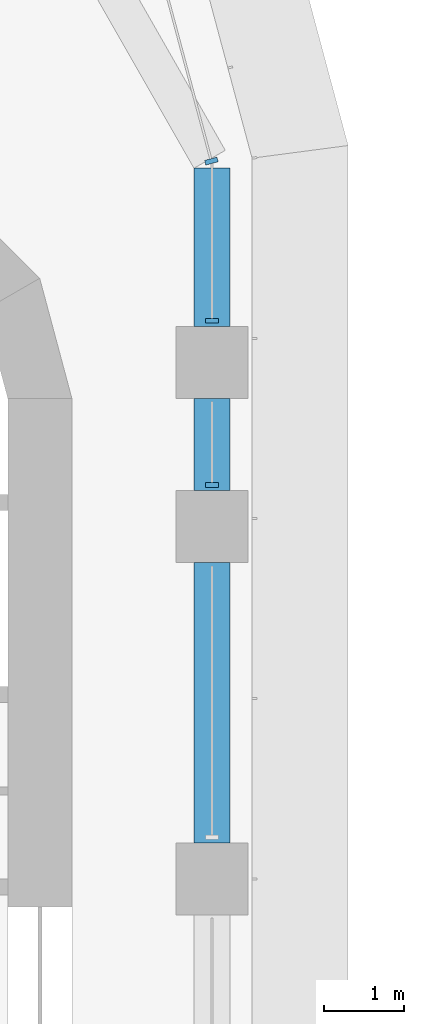
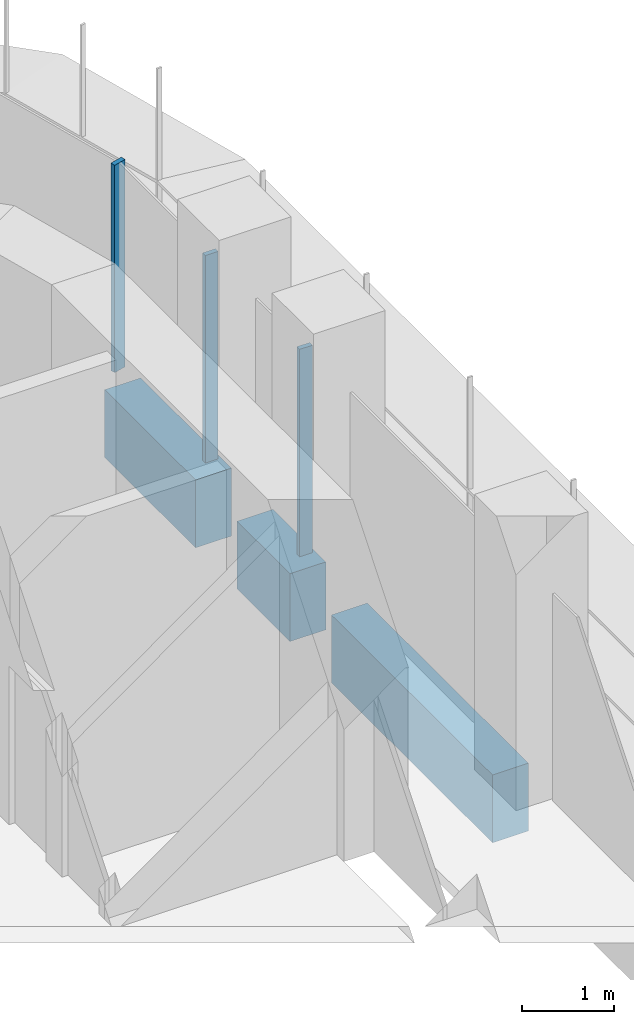
# One storey, part 10 of 23: 3 beams, 3 members, 2 elements without a shape of their own.
"""IFC4 building model written with IfcOpenShell, lengths in metres."""

import ifcopenshell
import ifcopenshell.guid

model = None  # the IFC model being written
_history = None  # IfcOwnerHistory: only IFC2X3 demands one
_inside = {}  # id of a spatial element -> (the spatial element, [elements in it])
_under = {}  # id of a project, library or spatial element -> (it, [spatial elements below it])
_declared = {}  # id of a project -> (the project, [libraries it declares])
_typed = {}  # id of a type object -> (the type object, [elements of that type])
_made_of = {}  # id of a material, layer set ... -> (it, [elements and type objects made of it])


def new_model(schema):
    """Start an empty IFC model of exactly this schema.

    Asked for "IFC4X3", IfcOpenShell would pick the latest addendum, in which some entities
    have other attributes; the version numbers below select the first issue.
    IFC2X3 requires an IfcOwnerHistory on every rooted entity: one is made here for all.
    """
    global model, _history
    if schema == "IFC4X3":
        model = ifcopenshell.file(schema_version=(4, 3, 0, 0))
    else:
        model = ifcopenshell.file(schema=schema)
    _inside.clear()
    _under.clear()
    _declared.clear()
    _typed.clear()
    _made_of.clear()
    _history = None
    if model.schema == "IFC2X3":
        org = make("IfcOrganization", Name="unknown")
        user = make(
            "IfcPersonAndOrganization",
            ThePerson=make("IfcPerson", FamilyName="unknown"),
            TheOrganization=org,
        )
        app = make(
            "IfcApplication",
            ApplicationDeveloper=org,
            Version="unknown",
            ApplicationFullName="unknown",
            ApplicationIdentifier="unknown",
        )
        _history = make(
            "IfcOwnerHistory",
            OwningUser=user,
            OwningApplication=app,
            ChangeAction="ADDED",
            CreationDate=0,
        )
    return model


def make(cls, **values):
    """One entity of the class cls with the attributes given. An attribute that is None is left unset."""
    return model.create_entity(
        cls, **{name: value for name, value in values.items() if value is not None}
    )


def rooted(cls, **values):
    """An entity with a GlobalId (a new one), such as an element, a storey or a relation."""
    return make(cls, GlobalId=ifcopenshell.guid.new(), OwnerHistory=_history, **values)


def si_unit(unit_type, name, prefix=None):
    """IfcSIUnit, for example si_unit("LENGTHUNIT", "METRE", prefix="MILLI")."""
    return make("IfcSIUnit", UnitType=unit_type, Prefix=prefix, Name=name)


def assignment(units):
    """IfcUnitAssignment: the units of a project."""
    return None if units is None else make("IfcUnitAssignment", Units=units)


def point(xyz):
    """IfcCartesianPoint."""
    return None if xyz is None else make("IfcCartesianPoint", Coordinates=xyz)


def direction(xyz):
    """IfcDirection."""
    return None if xyz is None else make("IfcDirection", DirectionRatios=xyz)


def frame(location, z_axis=None, x_axis=None):
    """IfcAxis2Placement3D, a coordinate frame: its origin and axes. An axis left out is left unset."""
    return make(
        "IfcAxis2Placement3D",
        Location=point(location),
        Axis=direction(z_axis),
        RefDirection=direction(x_axis),
    )


def frame_2d(location, x_axis=None):
    """IfcAxis2Placement2D, a coordinate frame in the plane: its origin and x axis."""
    return make(
        "IfcAxis2Placement2D", Location=point(location), RefDirection=direction(x_axis)
    )


def origin():
    """The frame at (0, 0, 0) with its axes left unset."""
    return frame((0.0, 0.0, 0.0))


def origin_2d():
    """The frame at (0, 0) in the plane with its x axis left unset."""
    return frame_2d((0.0, 0.0))


def place(relative_to, where):
    """IfcLocalPlacement: puts the frame where relative to a parent placement (None: the world)."""
    return make(
        "IfcLocalPlacement", PlacementRelTo=relative_to, RelativePlacement=where
    )


def context(
    kind, dimensions, precision=None, world=None, true_north=None, identifier=None
):
    """IfcGeometricRepresentationContext, for example the 3D "Model" context."""
    return make(
        "IfcGeometricRepresentationContext",
        ContextIdentifier=identifier,
        ContextType=kind,
        CoordinateSpaceDimension=dimensions,
        Precision=precision,
        WorldCoordinateSystem=world,
        TrueNorth=true_north,
    )


def subcontext(parent, identifier, kind, view, scale=None):
    """IfcGeometricRepresentationSubContext, for example "Body" below "Model"."""
    return make(
        "IfcGeometricRepresentationSubContext",
        ContextIdentifier=identifier,
        ContextType=kind,
        ParentContext=parent,
        TargetScale=scale,
        TargetView=view,
    )


def project(units=None, contexts=None):
    """IfcProject with its units and contexts."""
    return rooted(
        "IfcProject",
        Name="project",
        RepresentationContexts=contexts,
        UnitsInContext=assignment(units),
    )


def spatial(cls, under=None, at=None, **own):
    """A site, building, storey or space (cls), placed at a placement, below another one or the project."""
    s = rooted(cls, ObjectPlacement=at, **own)
    if under is not None:
        _under.setdefault(under.id(), (under, []))[1].append(s)
    return s


def polyline(points):
    """IfcPolyline through the points."""
    return make("IfcPolyline", Points=[point(p) for p in points])


def profile(cls, at=None, kind="AREA", **sizes):
    """A parametric profile (cls). Its sizes go by their IFC names, for example OverallWidth=200.0."""
    return make(cls, ProfileType=kind, Position=at, **sizes)


def rectangle(**sizes):
    """IfcRectangleProfileDef."""
    return profile("IfcRectangleProfileDef", **sizes)


def outline(outer, holes=None, kind="AREA"):
    """IfcArbitraryClosedProfileDef: a profile drawn as a closed curve; with holes, ...WithVoids."""
    if holes is None:
        return make("IfcArbitraryClosedProfileDef", ProfileType=kind, OuterCurve=outer)
    return make(
        "IfcArbitraryProfileDefWithVoids",
        ProfileType=kind,
        OuterCurve=outer,
        InnerCurves=holes,
    )


def extrude(swept, where, along, depth):
    """IfcExtrudedAreaSolid: the profile swept, set in the frame where, extruded along a direction by depth."""
    return make(
        "IfcExtrudedAreaSolid",
        SweptArea=swept,
        Position=where,
        ExtrudedDirection=direction(along),
        Depth=depth,
    )


def shape(context_of_items, identifier, shape_type, items):
    """IfcShapeRepresentation: the items that make up one representation, for example the "Body"."""
    return make(
        "IfcShapeRepresentation",
        ContextOfItems=context_of_items,
        RepresentationIdentifier=identifier,
        RepresentationType=shape_type,
        Items=items,
    )


def source(mapping_origin, context_of_items, identifier, shape_type, items):
    """IfcRepresentationMap: a shape defined once, which mapped items show again and again."""
    return make(
        "IfcRepresentationMap",
        MappingOrigin=mapping_origin,
        MappedRepresentation=shape(context_of_items, identifier, shape_type, items),
    )


def transform(
    local_origin,
    x_axis=None,
    y_axis=None,
    z_axis=None,
    scale=None,
    scale2=None,
    scale3=None,
    uniform=True,
):
    """IfcCartesianTransformationOperator3D, or its non-uniform kind. x_axis, y_axis, z_axis: its Axis1, 2, 3."""
    if uniform:
        return make(
            "IfcCartesianTransformationOperator3D",
            Axis1=direction(x_axis),
            Axis2=direction(y_axis),
            LocalOrigin=point(local_origin),
            Scale=scale,
            Axis3=direction(z_axis),
        )
    return make(
        "IfcCartesianTransformationOperator3DnonUniform",
        Axis1=direction(x_axis),
        Axis2=direction(y_axis),
        LocalOrigin=point(local_origin),
        Scale=scale,
        Axis3=direction(z_axis),
        Scale2=scale2,
        Scale3=scale3,
    )


def mapped(mapping_source, mapping_target):
    """IfcMappedItem: shows the shape of a source again, moved by a transform."""
    return make(
        "IfcMappedItem", MappingSource=mapping_source, MappingTarget=mapping_target
    )


def material(Name=None, Category=None):
    """IfcMaterial."""
    return make("IfcMaterial", Name=Name, Category=Category)


def material_profile(
    of_material, cross_section, Name=None, Category=None, Priority=None
):
    """IfcMaterialProfile: a cross section and its material."""
    return make(
        "IfcMaterialProfile",
        Name=Name,
        Material=of_material,
        Profile=cross_section,
        Priority=Priority,
        Category=Category,
    )


def profile_set(profiles, Name=None, composite=None):
    """IfcMaterialProfileSet."""
    return make(
        "IfcMaterialProfileSet",
        Name=Name,
        MaterialProfiles=profiles,
        CompositeProfile=composite,
    )


def made_of(thing, what):
    """Note that an element or type object is made of a material, layer set ...; save() writes the relation."""
    if what is not None:
        _made_of.setdefault(what.id(), (what, []))[1].append(thing)
    return thing


def type_object(cls, material=None, **own):
    """A type object (cls), such as IfcWallType, which elements share."""
    return made_of(rooted(cls, **own), material)


def element(
    cls,
    number,
    at=None,
    inside=None,
    cuts=None,
    type_object=None,
    material=None,
    context=None,
    identifier="Body",
    shape_type=None,
    held_by="IfcProductDefinitionShape",
    body=None,
    shapes=None,
    **own,
):
    """One element of the class cls, such as IfcWall. Its Tag is "e" and its number.

    at: its placement. inside: the storey or other place that contains it. cuts: it is an
    opening in that element (IfcRelVoidsElement). A single representation is given by context,
    identifier, shape_type and body (its items); several are given by shapes. held_by: the class
    of the entity that holds the representations. save() writes the other relations.
    """
    e = rooted(cls, Tag="e%d" % number, ObjectPlacement=at, **own)
    if body is not None:
        shapes = [shape(context, identifier, shape_type, body)]
    if shapes is not None:
        e.Representation = make(held_by, Representations=shapes)
    if inside is not None:
        _inside.setdefault(inside.id(), (inside, []))[1].append(e)
    if cuts is not None:
        rooted(
            "IfcRelVoidsElement", RelatingBuildingElement=cuts, RelatedOpeningElement=e
        )
    if type_object is not None:
        _typed.setdefault(type_object.id(), (type_object, []))[1].append(e)
    return made_of(e, material)


def aggregate(whole, parts):
    """IfcRelAggregates: a whole, such as a stair, and the parts it consists of."""
    return rooted("IfcRelAggregates", RelatingObject=whole, RelatedObjects=parts)


def save(model, path):
    """Write the relations noted so far, then the file.

    IfcRelAggregates (storeys below a building ...), IfcRelContainedInSpatialStructure (elements
    in a storey), IfcRelDefinesByType, IfcRelAssociatesMaterial and IfcRelDeclares: one each for
    every whole, place, type object, material and project.
    """
    for whole, parts in _under.values():
        aggregate(whole, parts)
    for where, things in _inside.values():
        rooted(
            "IfcRelContainedInSpatialStructure",
            RelatedElements=things,
            RelatingStructure=where,
        )
    for kind, things in _typed.values():
        rooted("IfcRelDefinesByType", RelatedObjects=things, RelatingType=kind)
    for what, things in _made_of.values():
        rooted("IfcRelAssociatesMaterial", RelatedObjects=things, RelatingMaterial=what)
    for by, libraries in _declared.values():
        rooted("IfcRelDeclares", RelatingContext=by, RelatedDefinitions=libraries)
    model.write(path)


model = new_model("IFC4")

# Units and contexts
model_context = context("Model", 3, precision=1e-05, world=origin(), true_north=direction((0.0, 1.0)))
body_context = subcontext(model_context, "Body", "Model", "MODEL_VIEW")
ifc_project = project(units=[si_unit("LENGTHUNIT", "METRE"), si_unit("AREAUNIT", "SQUARE_METRE"), si_unit("VOLUMEUNIT", "CUBIC_METRE"), si_unit("PLANEANGLEUNIT", "RADIAN"), si_unit("MASSUNIT", "GRAM", prefix="KILO")], contexts=[model_context])

# Site, building, storey
site_placement = place(None, origin())
site = spatial("IfcSite", under=ifc_project, at=site_placement, CompositionType="ELEMENT")
building_placement = place(site_placement, origin())
building = spatial("IfcBuilding", under=site, at=building_placement, Name="Zarbagh Exchange Tower", CompositionType="ELEMENT")
storey_placement = place(building_placement, frame((0.0, 0.0, 90.39990234375)))
storey = spatial("IfcBuildingStorey", under=building, at=storey_placement, Name="L20", CompositionType="ELEMENT", Elevation=90.39990234375)

# Beams
ifc_material_1 = material(Name="Concrete C60/75", Category="concrete")
ifc_material_profile = material_profile(ifc_material_1, rectangle(XDim=0.449951171875, YDim=0.89990234375, at=origin_2d()), Name="RC spandrel beam 450 x 900 C60/75")
ifc_profile_set = profile_set([ifc_material_profile], Name="Concrete C60/75")
beam_type = type_object("IfcBeamType", Name="RC spandrel beam 450 x 900 C60/75", PredefinedType="SPANDREL", material=ifc_profile_set)
beam_1_placement = place(storey_placement, frame((6.25, 29.12451171875, -0.599853515625), z_axis=(0.0, -1.0, 0.0), x_axis=(1.0, 0.0, 0.0)))
element("IfcBeam", 1, at=beam_1_placement, inside=storey, type_object=beam_type, Name="RC spandrel beam", PredefinedType="SPANDREL", context=body_context, shape_type="SweptSolid", body=[
    extrude(rectangle(XDim=0.449951171875, YDim=0.89990234375, at=origin_2d()), origin(), (0.0, 0.0, 1.0), 1.974609375),
])
beam_2_placement = place(storey_placement, frame((6.25, 26.25, -0.599853515625), z_axis=(0.0, -1.0, 0.0), x_axis=(1.0, 0.0, 0.0)))
element("IfcBeam", 2, at=beam_2_placement, inside=storey, type_object=beam_type, Name="RC spandrel beam", PredefinedType="SPANDREL", context=body_context, shape_type="SweptSolid", body=[
    extrude(rectangle(XDim=0.449951171875, YDim=0.89990234375, at=origin_2d()), origin(), (0.0, 0.0, 1.0), 1.14990234375),
])
beam_3_placement = place(storey_placement, frame((6.25, 24.199951171875, -0.599853515625), z_axis=(0.0, -1.0, 0.0), x_axis=(1.0, 0.0, 0.0)))
element("IfcBeam", 3, at=beam_3_placement, inside=storey, type_object=beam_type, Name="RC spandrel beam", PredefinedType="SPANDREL", context=body_context, shape_type="SweptSolid", body=[
    extrude(rectangle(XDim=0.449951171875, YDim=0.89990234375, at=origin_2d()), origin(), (0.0, 0.0, 1.0), 3.5),
])

# Curtain wall, members
ifc_material_2 = material(Name="Anodised aluminium frame and glazing", Category="aluminium")
curtain_wall_type = type_object("IfcCurtainWallType", Name="CWA Ribbon glazing, lower zones", PredefinedType="NOTDEFINED", material=ifc_material_2)
curtain_wall_1_placement = place(storey_placement, origin())
curtain_wall_1 = element("IfcCurtainWall", 4, at=curtain_wall_1_placement, inside=storey, type_object=curtain_wall_type, Name="CWA20 curtain wall", PredefinedType="NOTDEFINED")
ifc_material_3 = material(Name="Anodised aluminium frame", Category="aluminium")
member_type = type_object("IfcMemberType", Name="MUA Mullion, anodised aluminium frame", PredefinedType="MULLION", material=ifc_material_3)
shared_shape = source(origin(), body_context, "Body", "SweptSolid", [
    extrude(outline(polyline([(0.0, -0.080078125), (0.06005859375, -0.080078125), (0.06005859375, 0.080078125), (0.0, 0.080078125), (0.0, -0.080078125)])), origin(), (0.0, 0.0, 1.0), 2.75),
])
placement = place(storey_placement, origin())
member_1 = element("IfcMember", 5, at=placement, type_object=member_type, Name="CWA20 mullion 4.1", PredefinedType="MULLION", context=body_context, shape_type="MappedRepresentation", body=[
    mapped(shared_shape, transform((6.25, 25.14013671875, 0.0), x_axis=(0.0, 1.0, 0.0), y_axis=(-1.0, 0.0, 0.0), z_axis=(0.0, 0.0, 1.0))),
])
member_2 = element("IfcMember", 6, at=placement, type_object=member_type, Name="CWA20 mullion 5.1", PredefinedType="MULLION", context=body_context, shape_type="MappedRepresentation", body=[
    mapped(shared_shape, transform((6.25, 27.18994140625, 0.0), x_axis=(0.0, 1.0, 0.0), y_axis=(-1.0, 0.0, 0.0), z_axis=(0.0, 0.0, 1.0))),
])
aggregate(curtain_wall_1, [member_1, member_2])

# Curtain wall, member
curtain_wall_2_placement = place(storey_placement, origin())
curtain_wall_2 = element("IfcCurtainWall", 7, at=curtain_wall_2_placement, inside=storey, type_object=curtain_wall_type, Name="CWA21 curtain wall", PredefinedType="NOTDEFINED")
member_3 = element("IfcMember", 8, at=placement, type_object=member_type, Name="CWA21 mullion 1.1", PredefinedType="MULLION", context=body_context, shape_type="MappedRepresentation", body=[
    mapped(shared_shape, transform((6.25, 29.18408203125, 0.0), x_axis=(-0.258824779902, 0.965924289636, 0.0), y_axis=(-0.965924289636, -0.258824779902, 0.0), z_axis=(0.0, 0.0, 1.0))),
])
aggregate(curtain_wall_2, [member_3])

save(model, "model.ifc")
